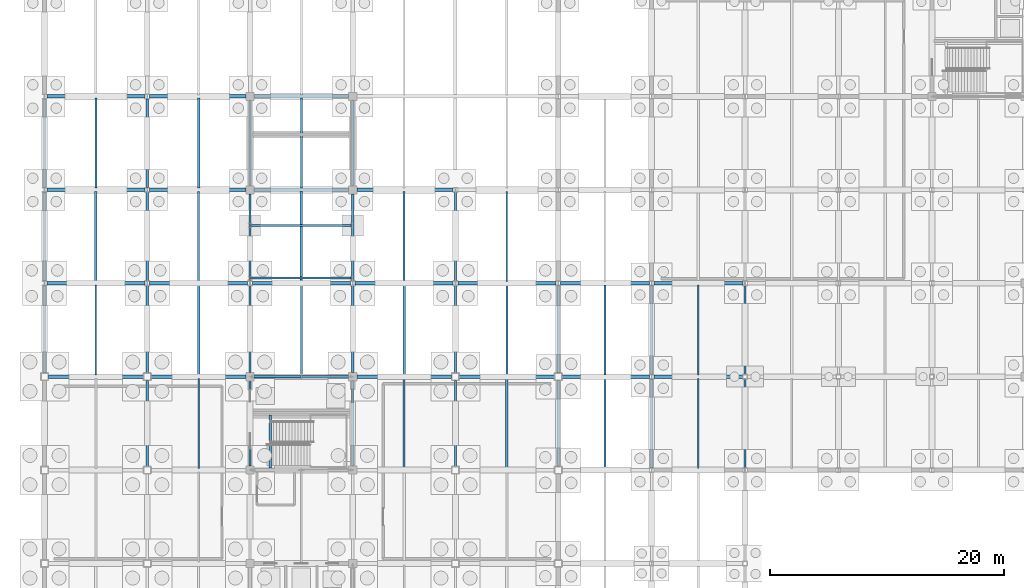
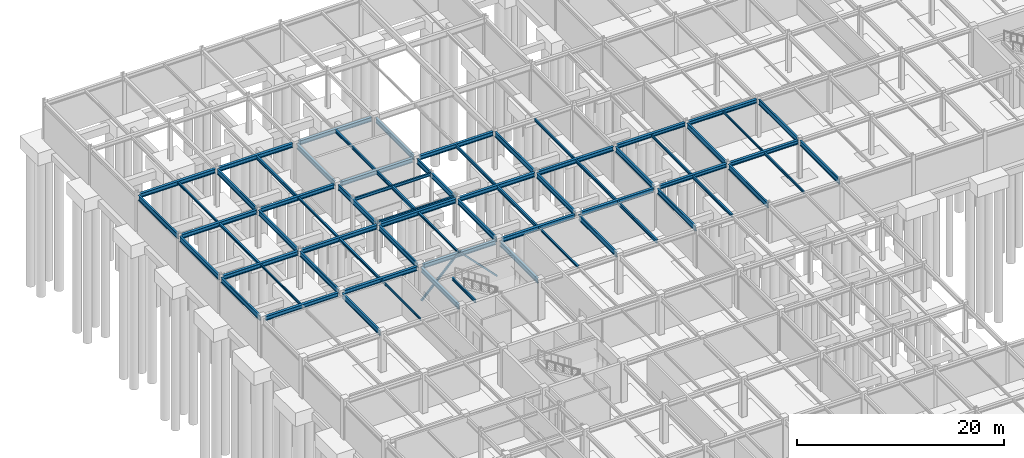
# One storey, part 36 of 72: 68 beams, 2 members.
"""IFC4 building model written with IfcOpenShell, lengths in metres."""

from ifc_helpers import new_model, si_unit, direction, frame, origin, origin_2d, place, context, subcontext, project, spatial, hollow_rectangle, i_section, extrude, material, material_profile, profile_set, type_object, element, save


model = new_model("IFC4")

# Units and contexts
model_context = context("Model", 3, precision=1e-05, world=origin(), true_north=direction((0.0, 1.0)))
body_context = subcontext(model_context, "Body", "Model", "MODEL_VIEW")
ifc_project = project(units=[si_unit("LENGTHUNIT", "METRE"), si_unit("AREAUNIT", "SQUARE_METRE"), si_unit("VOLUMEUNIT", "CUBIC_METRE"), si_unit("PLANEANGLEUNIT", "RADIAN"), si_unit("MASSUNIT", "GRAM", prefix="KILO")], contexts=[model_context])

# Site, building, storey
site_placement = place(None, origin())
site = spatial("IfcSite", under=ifc_project, at=site_placement, CompositionType="ELEMENT")
building_placement = place(site_placement, origin())
building = spatial("IfcBuilding", under=site, at=building_placement, Name="Zhaolan Boulevard Law Courts", CompositionType="ELEMENT")
storey_placement = place(building_placement, frame((0.0, 0.0, -4.800048828125)))
storey = spatial("IfcBuildingStorey", under=building, at=storey_placement, Name="B1", CompositionType="ELEMENT", Elevation=-4.800048828125)

# Members
ifc_material_1 = material(Name="Structural steel Q355B", Category="steel")
ifc_material_profile_1 = material_profile(ifc_material_1, hollow_rectangle(XDim=0.179931640625, YDim=0.179931640625, WallThickness=0.008056640625, InnerFilletRadius=0.008056640625, OuterFilletRadius=0.01611328125, at=origin_2d()), Name="HSS180x180x8")
ifc_profile_set_1 = profile_set([ifc_material_profile_1], Name="Structural steel Q355B")
member_type_1 = type_object("IfcMemberType", Name="BRACE HSS180", PredefinedType="BRACE", material=ifc_profile_set_1)
member_1_placement = place(storey_placement, frame((26.219970703125, 70.0, 0.199951171875), z_axis=(-0.698770796904, 0.0, 0.715345632121), x_axis=(0.0, -1.0, 0.0)))
element("IfcMember", 1, at=member_1_placement, inside=storey, type_object=member_type_1, Name="Core Brace BR-W2-B1-N2", PredefinedType="BRACE", context=body_context, shape_type="SweptSolid", body=[
    extrude(hollow_rectangle(XDim=0.179931640625, YDim=0.179931640625, WallThickness=0.008056640625, InnerFilletRadius=0.008056640625, OuterFilletRadius=0.01611328125, at=origin_2d()), origin(), (0.0, 0.0, 1.0), 6.0390625),
])
ifc_material_2 = material(Name="Structural steel Q355B", Category="steel")
ifc_material_profile_2 = material_profile(ifc_material_2, hollow_rectangle(XDim=0.199951171875, YDim=0.199951171875, WallThickness=0.010009765625, InnerFilletRadius=0.010009765625, OuterFilletRadius=0.02001953125, at=origin_2d()), Name="HSS200x200x10")
ifc_profile_set_2 = profile_set([ifc_material_profile_2], Name="Structural steel Q355B")
member_type_2 = type_object("IfcMemberType", Name="BRACE HSS200", PredefinedType="BRACE", material=ifc_profile_set_2)
member_2_placement = place(storey_placement, frame((17.780029296875, 70.0, 0.199951171875), z_axis=(0.698770796904, 0.0, 0.715345632121), x_axis=(0.0, 1.0, 0.0)))
element("IfcMember", 2, at=member_2_placement, inside=storey, type_object=member_type_2, Name="Core Brace BR-W2-B1-N1", PredefinedType="BRACE", context=body_context, shape_type="SweptSolid", body=[
    extrude(hollow_rectangle(XDim=0.199951171875, YDim=0.199951171875, WallThickness=0.010009765625, InnerFilletRadius=0.010009765625, OuterFilletRadius=0.02001953125, at=origin_2d()), origin(), (0.0, 0.0, 1.0), 6.0390625),
])

# Beams
ifc_material_3 = material(Name="Structural steel Q355B", Category="steel")
ifc_material_profile_3 = material_profile(ifc_material_3, i_section(OverallWidth=0.300048828125, OverallDepth=0.43994140625, WebThickness=0.010986328125, FlangeThickness=0.01806640625, FilletRadius=0.02001953125, at=origin_2d()), Name="HM440x300")
ifc_profile_set_3 = profile_set([ifc_material_profile_3], Name="Structural steel Q355B")
beam_type_1 = type_object("IfcBeamType", Name="GIRDER HM440", PredefinedType="BEAM", material=ifc_profile_set_3)
beam_1_placement = place(storey_placement, frame((44.321044921875, 70.0, 4.328125), z_axis=(1.0, 0.0, 0.0), x_axis=(0.0, 1.0, 0.0)))
element("IfcBeam", 3, at=beam_1_placement, inside=storey, type_object=beam_type_1, Name="Beam BX-L00-6-7-K", PredefinedType="BEAM", context=body_context, shape_type="SweptSolid", body=[
    extrude(i_section(OverallWidth=0.300048828125, OverallDepth=0.43994140625, WebThickness=0.010986328125, FlangeThickness=0.01806640625, FilletRadius=0.02001953125, at=origin_2d()), origin(), (0.0, 0.0, 1.0), 7.48291015625),
])
for number, where, z_axis, x_axis, name in (
    (4, (52.196044921875, 70.0, 4.278076171875), (1.0, 0.0, 0.0), (0.0, 1.0, 0.0), "Beam BX-L00-7-8-K"),
    (5, (44.196044921875, 78.0, 4.328125), (1.0, 0.0, 0.0), (0.0, 1.0, 0.0), "Beam BX-L00-6-7-L"),
    (6, (52.196044921875, 78.0, 4.278076171875), (1.0, 0.0, 0.0), (0.0, 1.0, 0.0), "Beam BX-L00-7-8-L"),
):
    element("IfcBeam", number, at=place(storey_placement, frame(where, z_axis=z_axis, x_axis=x_axis)), inside=storey, type_object=beam_type_1, Name=name, PredefinedType="BEAM", context=body_context, shape_type="SweptSolid", body=[
        extrude(i_section(OverallWidth=0.300048828125, OverallDepth=0.43994140625, WebThickness=0.010986328125, FlangeThickness=0.01806640625, FilletRadius=0.02001953125, at=origin_2d()), origin(), (0.0, 0.0, 1.0), 7.60791015625),
    ])
ifc_material_4 = material(Name="Structural steel Q355B", Category="steel")
ifc_material_profile_4 = material_profile(ifc_material_4, i_section(OverallWidth=0.300048828125, OverallDepth=0.488037109375, WebThickness=0.010986328125, FlangeThickness=0.01806640625, FilletRadius=0.02197265625, at=origin_2d()), Name="HM488x300")
ifc_profile_set_4 = profile_set([ifc_material_profile_4], Name="Structural steel Q355B")
beam_type_2 = type_object("IfcBeamType", Name="GIRDER HM500", PredefinedType="BEAM", material=ifc_profile_set_4)
beam_2_placement = place(storey_placement, frame((0.321044921875, 70.0, 4.254150390625), z_axis=(1.0, 0.0, 0.0), x_axis=(0.0, 1.0, 0.0)))
element("IfcBeam", 7, at=beam_2_placement, inside=storey, type_object=beam_type_2, Name="Beam BX-L00-1-2-K", PredefinedType="BEAM", context=body_context, shape_type="SweptSolid", body=[
    extrude(i_section(OverallWidth=0.300048828125, OverallDepth=0.488037109375, WebThickness=0.010986328125, FlangeThickness=0.01806640625, FilletRadius=0.02197265625, at=origin_2d()), origin(), (0.0, 0.0, 1.0), 8.157958984375),
])
beam_3_placement = place(storey_placement, frame((9.12109375, 70.0, 4.254150390625), z_axis=(1.0, 0.0, 0.0), x_axis=(0.0, 1.0, 0.0)))
element("IfcBeam", 8, at=beam_3_placement, inside=storey, type_object=beam_type_2, Name="Beam BX-L00-2-3-K", PredefinedType="BEAM", context=body_context, shape_type="SweptSolid", body=[
    extrude(i_section(OverallWidth=0.300048828125, OverallDepth=0.488037109375, WebThickness=0.010986328125, FlangeThickness=0.01806640625, FilletRadius=0.02197265625, at=origin_2d()), origin(), (0.0, 0.0, 1.0), 8.1328125),
])
beam_4_placement = place(storey_placement, frame((17.946044921875, 70.0, 4.254150390625), z_axis=(1.0, 0.0, 0.0), x_axis=(0.0, 1.0, 0.0)))
element("IfcBeam", 9, at=beam_4_placement, inside=storey, type_object=beam_type_2, Name="Beam BX-L00-3-4-K", PredefinedType="BEAM", context=body_context, shape_type="SweptSolid", body=[
    extrude(i_section(OverallWidth=0.300048828125, OverallDepth=0.488037109375, WebThickness=0.010986328125, FlangeThickness=0.01806640625, FilletRadius=0.02197265625, at=origin_2d()), origin(), (0.0, 0.0, 1.0), 8.10791015625),
])
beam_5_placement = place(storey_placement, frame((26.74609375, 70.0, 4.254150390625), z_axis=(1.0, 0.0, 0.0), x_axis=(0.0, 1.0, 0.0)))
element("IfcBeam", 10, at=beam_5_placement, inside=storey, type_object=beam_type_2, Name="Beam BX-L00-4-5-K", PredefinedType="BEAM", context=body_context, shape_type="SweptSolid", body=[
    extrude(i_section(OverallWidth=0.300048828125, OverallDepth=0.488037109375, WebThickness=0.010986328125, FlangeThickness=0.01806640625, FilletRadius=0.02197265625, at=origin_2d()), origin(), (0.0, 0.0, 1.0), 8.1328125),
])
beam_6_placement = place(storey_placement, frame((35.52099609375, 70.0, 4.254150390625), z_axis=(1.0, 0.0, 0.0), x_axis=(0.0, 1.0, 0.0)))
element("IfcBeam", 11, at=beam_6_placement, inside=storey, type_object=beam_type_2, Name="Beam BX-L00-5-6-K", PredefinedType="BEAM", context=body_context, shape_type="SweptSolid", body=[
    extrude(i_section(OverallWidth=0.300048828125, OverallDepth=0.488037109375, WebThickness=0.010986328125, FlangeThickness=0.01806640625, FilletRadius=0.02197265625, at=origin_2d()), origin(), (0.0, 0.0, 1.0), 8.157958984375),
])
for number, where, z_axis, x_axis, name in (
    (12, (0.196044921875, 78.0, 4.254150390625), (1.0, 0.0, 0.0), (0.0, 1.0, 0.0), "Beam BX-L00-1-2-L"),
    (13, (8.99609375, 78.0, 4.254150390625), (1.0, 0.0, 0.0), (0.0, 1.0, 0.0), "Beam BX-L00-2-3-L"),
):
    element("IfcBeam", number, at=place(storey_placement, frame(where, z_axis=z_axis, x_axis=x_axis)), inside=storey, type_object=beam_type_2, Name=name, PredefinedType="BEAM", context=body_context, shape_type="SweptSolid", body=[
        extrude(i_section(OverallWidth=0.300048828125, OverallDepth=0.488037109375, WebThickness=0.010986328125, FlangeThickness=0.01806640625, FilletRadius=0.02197265625, at=origin_2d()), origin(), (0.0, 0.0, 1.0), 8.407958984375),
    ])
beam_7_placement = place(storey_placement, frame((17.7958984375, 78.0, 4.254150390625), z_axis=(1.0, 0.0, 0.0), x_axis=(0.0, 1.0, 0.0)))
element("IfcBeam", 14, at=beam_7_placement, inside=storey, type_object=beam_type_2, Name="Beam BX-L00-3-4-L", PredefinedType="BEAM", context=body_context, shape_type="SweptSolid", body=[
    extrude(i_section(OverallWidth=0.300048828125, OverallDepth=0.488037109375, WebThickness=0.010986328125, FlangeThickness=0.01806640625, FilletRadius=0.02197265625, at=origin_2d()), origin(), (0.0, 0.0, 1.0), 8.408203125),
])
for number, where, z_axis, x_axis, name in (
    (15, (26.595947265625, 78.0, 4.254150390625), (1.0, 0.0, 0.0), (0.0, 1.0, 0.0), "Beam BX-L00-4-5-L"),
    (16, (35.39599609375, 78.0, 4.254150390625), (1.0, 0.0, 0.0), (0.0, 1.0, 0.0), "Beam BX-L00-5-6-L"),
    (17, (0.196044921875, 86.0, 4.254150390625), (1.0, 0.0, 0.0), (0.0, 1.0, 0.0), "Beam BX-L00-1-2-M"),
):
    element("IfcBeam", number, at=place(storey_placement, frame(where, z_axis=z_axis, x_axis=x_axis)), inside=storey, type_object=beam_type_2, Name=name, PredefinedType="BEAM", context=body_context, shape_type="SweptSolid", body=[
        extrude(i_section(OverallWidth=0.300048828125, OverallDepth=0.488037109375, WebThickness=0.010986328125, FlangeThickness=0.01806640625, FilletRadius=0.02197265625, at=origin_2d()), origin(), (0.0, 0.0, 1.0), 8.407958984375),
    ])
beam_8_placement = place(storey_placement, frame((8.99609375, 86.0, 4.254150390625), z_axis=(1.0, 0.0, 0.0), x_axis=(0.0, 1.0, 0.0)))
element("IfcBeam", 18, at=beam_8_placement, inside=storey, type_object=beam_type_2, Name="Beam BX-L00-2-3-M", PredefinedType="BEAM", context=body_context, shape_type="SweptSolid", body=[
    extrude(i_section(OverallWidth=0.300048828125, OverallDepth=0.488037109375, WebThickness=0.010986328125, FlangeThickness=0.01806640625, FilletRadius=0.02197265625, at=origin_2d()), origin(), (0.0, 0.0, 1.0), 8.2578125),
])
beam_9_placement = place(storey_placement, frame((17.946044921875, 86.0, 4.254150390625), z_axis=(1.0, 0.0, 0.0), x_axis=(0.0, 1.0, 0.0)))
element("IfcBeam", 19, at=beam_9_placement, inside=storey, type_object=beam_type_2, Name="Beam BX-L00-3-4-M", PredefinedType="BEAM", context=body_context, shape_type="SweptSolid", body=[
    extrude(i_section(OverallWidth=0.300048828125, OverallDepth=0.488037109375, WebThickness=0.010986328125, FlangeThickness=0.01806640625, FilletRadius=0.02197265625, at=origin_2d()), origin(), (0.0, 0.0, 1.0), 8.10791015625),
])
beam_10_placement = place(storey_placement, frame((26.74609375, 86.0, 4.254150390625), z_axis=(1.0, 0.0, 0.0), x_axis=(0.0, 1.0, 0.0)))
element("IfcBeam", 20, at=beam_10_placement, inside=storey, type_object=beam_type_2, Name="Beam BX-L00-4-5-M", PredefinedType="BEAM", context=body_context, shape_type="SweptSolid", body=[
    extrude(i_section(OverallWidth=0.300048828125, OverallDepth=0.488037109375, WebThickness=0.010986328125, FlangeThickness=0.01806640625, FilletRadius=0.02197265625, at=origin_2d()), origin(), (0.0, 0.0, 1.0), 8.2578125),
])
beam_11_placement = place(storey_placement, frame((0.196044921875, 94.0, 4.254150390625), z_axis=(1.0, 0.0, 0.0), x_axis=(0.0, 1.0, 0.0)))
element("IfcBeam", 21, at=beam_11_placement, inside=storey, type_object=beam_type_2, Name="Beam BX-L00-1-2-N", PredefinedType="BEAM", context=body_context, shape_type="SweptSolid", body=[
    extrude(i_section(OverallWidth=0.300048828125, OverallDepth=0.488037109375, WebThickness=0.010986328125, FlangeThickness=0.01806640625, FilletRadius=0.02197265625, at=origin_2d()), origin(), (0.0, 0.0, 1.0), 8.407958984375),
])
beam_12_placement = place(storey_placement, frame((8.99609375, 94.0, 4.254150390625), z_axis=(1.0, 0.0, 0.0), x_axis=(0.0, 1.0, 0.0)))
element("IfcBeam", 22, at=beam_12_placement, inside=storey, type_object=beam_type_2, Name="Beam BX-L00-2-3-N", PredefinedType="BEAM", context=body_context, shape_type="SweptSolid", body=[
    extrude(i_section(OverallWidth=0.300048828125, OverallDepth=0.488037109375, WebThickness=0.010986328125, FlangeThickness=0.01806640625, FilletRadius=0.02197265625, at=origin_2d()), origin(), (0.0, 0.0, 1.0), 8.2578125),
])
beam_13_placement = place(storey_placement, frame((17.946044921875, 94.0, 4.254150390625), z_axis=(1.0, 0.0, 0.0), x_axis=(0.0, 1.0, 0.0)))
element("IfcBeam", 23, at=beam_13_placement, inside=storey, type_object=beam_type_2, Name="Beam BX-L00-3-4-N", PredefinedType="BEAM", context=body_context, shape_type="SweptSolid", body=[
    extrude(i_section(OverallWidth=0.300048828125, OverallDepth=0.488037109375, WebThickness=0.010986328125, FlangeThickness=0.01806640625, FilletRadius=0.02197265625, at=origin_2d()), origin(), (0.0, 0.0, 1.0), 8.10791015625),
])
ifc_material_5 = material(Name="Structural steel Q355B", Category="steel")
ifc_material_profile_5 = material_profile(ifc_material_5, i_section(OverallWidth=0.199951171875, OverallDepth=0.60009765625, WebThickness=0.010986328125, FlangeThickness=0.01708984375, FilletRadius=0.02001953125, at=origin_2d()), Name="HN600x200")
ifc_profile_set_5 = profile_set([ifc_material_profile_5], Name="Structural steel Q355B")
beam_type_3 = type_object("IfcBeamType", Name="GIRDER HN600", PredefinedType="BEAM", material=ifc_profile_set_5)
beam_14_placement = place(storey_placement, frame((0.0, 70.321044921875, 4.197998046875), z_axis=(0.0, 1.0, 0.0), x_axis=(-1.0, 0.0, 0.0)))
element("IfcBeam", 24, at=beam_14_placement, inside=storey, type_object=beam_type_3, Name="Beam BY-L00-1-K-L", PredefinedType="BEAM", context=body_context, shape_type="SweptSolid", body=[
    extrude(i_section(OverallWidth=0.199951171875, OverallDepth=0.60009765625, WebThickness=0.010986328125, FlangeThickness=0.01708984375, FilletRadius=0.02001953125, at=origin_2d()), origin(), (0.0, 0.0, 1.0), 7.48291015625),
])
for number, where, z_axis, x_axis, name in (
    (25, (0.0, 78.196044921875, 4.197998046875), (0.0, 1.0, 0.0), (-1.0, 0.0, 0.0), "Beam BY-L00-1-L-M"),
    (26, (0.0, 86.196044921875, 4.197998046875), (0.0, 1.0, 0.0), (-1.0, 0.0, 0.0), "Beam BY-L00-1-M-N"),
):
    element("IfcBeam", number, at=place(storey_placement, frame(where, z_axis=z_axis, x_axis=x_axis)), inside=storey, type_object=beam_type_3, Name=name, PredefinedType="BEAM", context=body_context, shape_type="SweptSolid", body=[
        extrude(i_section(OverallWidth=0.199951171875, OverallDepth=0.60009765625, WebThickness=0.010986328125, FlangeThickness=0.01708984375, FilletRadius=0.02001953125, at=origin_2d()), origin(), (0.0, 0.0, 1.0), 7.60791015625),
    ])
beam_15_placement = place(storey_placement, frame((8.800048828125, 62.321044921875, 4.197998046875), z_axis=(0.0, 1.0, 0.0), x_axis=(-1.0, 0.0, 0.0)))
element("IfcBeam", 27, at=beam_15_placement, inside=storey, type_object=beam_type_3, Name="Beam BY-L00-2-J-K", PredefinedType="BEAM", context=body_context, shape_type="SweptSolid", body=[
    extrude(i_section(OverallWidth=0.199951171875, OverallDepth=0.60009765625, WebThickness=0.010986328125, FlangeThickness=0.01708984375, FilletRadius=0.02001953125, at=origin_2d()), origin(), (0.0, 0.0, 1.0), 7.35791015625),
])
beam_16_placement = place(storey_placement, frame((8.800048828125, 70.321044921875, 4.197998046875), z_axis=(0.0, 1.0, 0.0), x_axis=(-1.0, 0.0, 0.0)))
element("IfcBeam", 28, at=beam_16_placement, inside=storey, type_object=beam_type_3, Name="Beam BY-L00-2-K-L", PredefinedType="BEAM", context=body_context, shape_type="SweptSolid", body=[
    extrude(i_section(OverallWidth=0.199951171875, OverallDepth=0.60009765625, WebThickness=0.010986328125, FlangeThickness=0.01708984375, FilletRadius=0.02001953125, at=origin_2d()), origin(), (0.0, 0.0, 1.0), 7.48291015625),
])
for number, where, z_axis, x_axis, name in (
    (29, (8.800048828125, 78.196044921875, 4.197998046875), (0.0, 1.0, 0.0), (-1.0, 0.0, 0.0), "Beam BY-L00-2-L-M"),
    (30, (8.800048828125, 86.196044921875, 4.197998046875), (0.0, 1.0, 0.0), (-1.0, 0.0, 0.0), "Beam BY-L00-2-M-N"),
):
    element("IfcBeam", number, at=place(storey_placement, frame(where, z_axis=z_axis, x_axis=x_axis)), inside=storey, type_object=beam_type_3, Name=name, PredefinedType="BEAM", context=body_context, shape_type="SweptSolid", body=[
        extrude(i_section(OverallWidth=0.199951171875, OverallDepth=0.60009765625, WebThickness=0.010986328125, FlangeThickness=0.01708984375, FilletRadius=0.02001953125, at=origin_2d()), origin(), (0.0, 0.0, 1.0), 7.60791015625),
    ])
beam_17_placement = place(storey_placement, frame((17.60009765625, 62.345947265625, 4.197998046875), z_axis=(0.0, 1.0, 0.0), x_axis=(-1.0, 0.0, 0.0)))
element("IfcBeam", 31, at=beam_17_placement, inside=storey, type_object=beam_type_3, Name="Beam BY-L00-3-J-K", PredefinedType="BEAM", context=body_context, shape_type="SweptSolid", body=[
    extrude(i_section(OverallWidth=0.199951171875, OverallDepth=0.60009765625, WebThickness=0.010986328125, FlangeThickness=0.01708984375, FilletRadius=0.02001953125, at=origin_2d()), origin(), (0.0, 0.0, 1.0), 7.30810546875),
])
for number, where, z_axis, x_axis, name in (
    (32, (17.60009765625, 70.345947265625, 4.197998046875), (0.0, 1.0, 0.0), (-1.0, 0.0, 0.0), "Beam BY-L00-3-K-L"),
    (33, (17.60009765625, 78.196044921875, 4.197998046875), (0.0, 1.0, 0.0), (-1.0, 0.0, 0.0), "Beam BY-L00-3-L-M"),
):
    element("IfcBeam", number, at=place(storey_placement, frame(where, z_axis=z_axis, x_axis=x_axis)), inside=storey, type_object=beam_type_3, Name=name, PredefinedType="BEAM", context=body_context, shape_type="SweptSolid", body=[
        extrude(i_section(OverallWidth=0.199951171875, OverallDepth=0.60009765625, WebThickness=0.010986328125, FlangeThickness=0.01708984375, FilletRadius=0.02001953125, at=origin_2d()), origin(), (0.0, 0.0, 1.0), 7.4580078125),
    ])
for number, where, z_axis, x_axis, name in (
    (34, (17.60009765625, 86.345947265625, 4.197998046875), (0.0, 1.0, 0.0), (-1.0, 0.0, 0.0), "Beam BY-L00-3-M-N"),
    (35, (26.39990234375, 62.345947265625, 4.197998046875), (0.0, 1.0, 0.0), (-1.0, 0.0, 0.0), "Beam BY-L00-4-J-K"),
):
    element("IfcBeam", number, at=place(storey_placement, frame(where, z_axis=z_axis, x_axis=x_axis)), inside=storey, type_object=beam_type_3, Name=name, PredefinedType="BEAM", context=body_context, shape_type="SweptSolid", body=[
        extrude(i_section(OverallWidth=0.199951171875, OverallDepth=0.60009765625, WebThickness=0.010986328125, FlangeThickness=0.01708984375, FilletRadius=0.02001953125, at=origin_2d()), origin(), (0.0, 0.0, 1.0), 7.30810546875),
    ])
for number, where, z_axis, x_axis, name in (
    (36, (26.39990234375, 70.345947265625, 4.197998046875), (0.0, 1.0, 0.0), (-1.0, 0.0, 0.0), "Beam BY-L00-4-K-L"),
    (37, (26.39990234375, 78.196044921875, 4.197998046875), (0.0, 1.0, 0.0), (-1.0, 0.0, 0.0), "Beam BY-L00-4-L-M"),
):
    element("IfcBeam", number, at=place(storey_placement, frame(where, z_axis=z_axis, x_axis=x_axis)), inside=storey, type_object=beam_type_3, Name=name, PredefinedType="BEAM", context=body_context, shape_type="SweptSolid", body=[
        extrude(i_section(OverallWidth=0.199951171875, OverallDepth=0.60009765625, WebThickness=0.010986328125, FlangeThickness=0.01708984375, FilletRadius=0.02001953125, at=origin_2d()), origin(), (0.0, 0.0, 1.0), 7.4580078125),
    ])
beam_18_placement = place(storey_placement, frame((26.39990234375, 86.345947265625, 4.197998046875), z_axis=(0.0, 1.0, 0.0), x_axis=(-1.0, 0.0, 0.0)))
element("IfcBeam", 38, at=beam_18_placement, inside=storey, type_object=beam_type_3, Name="Beam BY-L00-4-M-N", PredefinedType="BEAM", context=body_context, shape_type="SweptSolid", body=[
    extrude(i_section(OverallWidth=0.199951171875, OverallDepth=0.60009765625, WebThickness=0.010986328125, FlangeThickness=0.01708984375, FilletRadius=0.02001953125, at=origin_2d()), origin(), (0.0, 0.0, 1.0), 7.30810546875),
])
beam_19_placement = place(storey_placement, frame((35.199951171875, 62.321044921875, 4.197998046875), z_axis=(0.0, 1.0, 0.0), x_axis=(-1.0, 0.0, 0.0)))
element("IfcBeam", 39, at=beam_19_placement, inside=storey, type_object=beam_type_3, Name="Beam BY-L00-5-J-K", PredefinedType="BEAM", context=body_context, shape_type="SweptSolid", body=[
    extrude(i_section(OverallWidth=0.199951171875, OverallDepth=0.60009765625, WebThickness=0.010986328125, FlangeThickness=0.01708984375, FilletRadius=0.02001953125, at=origin_2d()), origin(), (0.0, 0.0, 1.0), 7.35791015625),
])
beam_20_placement = place(storey_placement, frame((35.199951171875, 70.321044921875, 4.197998046875), z_axis=(0.0, 1.0, 0.0), x_axis=(-1.0, 0.0, 0.0)))
element("IfcBeam", 40, at=beam_20_placement, inside=storey, type_object=beam_type_3, Name="Beam BY-L00-5-K-L", PredefinedType="BEAM", context=body_context, shape_type="SweptSolid", body=[
    extrude(i_section(OverallWidth=0.199951171875, OverallDepth=0.60009765625, WebThickness=0.010986328125, FlangeThickness=0.01708984375, FilletRadius=0.02001953125, at=origin_2d()), origin(), (0.0, 0.0, 1.0), 7.48291015625),
])
beam_21_placement = place(storey_placement, frame((35.199951171875, 78.196044921875, 4.197998046875), z_axis=(0.0, 1.0, 0.0), x_axis=(-1.0, 0.0, 0.0)))
element("IfcBeam", 41, at=beam_21_placement, inside=storey, type_object=beam_type_3, Name="Beam BY-L00-5-L-M", PredefinedType="BEAM", context=body_context, shape_type="SweptSolid", body=[
    extrude(i_section(OverallWidth=0.199951171875, OverallDepth=0.60009765625, WebThickness=0.010986328125, FlangeThickness=0.01708984375, FilletRadius=0.02001953125, at=origin_2d()), origin(), (0.0, 0.0, 1.0), 7.60791015625),
])
beam_22_placement = place(storey_placement, frame((44.0, 62.321044921875, 4.197998046875), z_axis=(0.0, 1.0, 0.0), x_axis=(-1.0, 0.0, 0.0)))
element("IfcBeam", 42, at=beam_22_placement, inside=storey, type_object=beam_type_3, Name="Beam BY-L00-6-J-K", PredefinedType="BEAM", context=body_context, shape_type="SweptSolid", body=[
    extrude(i_section(OverallWidth=0.199951171875, OverallDepth=0.60009765625, WebThickness=0.010986328125, FlangeThickness=0.01708984375, FilletRadius=0.02001953125, at=origin_2d()), origin(), (0.0, 0.0, 1.0), 7.35791015625),
])
beam_23_placement = place(storey_placement, frame((44.0, 70.321044921875, 4.197998046875), z_axis=(0.0, 1.0, 0.0), x_axis=(-1.0, 0.0, 0.0)))
element("IfcBeam", 43, at=beam_23_placement, inside=storey, type_object=beam_type_3, Name="Beam BY-L00-6-K-L", PredefinedType="BEAM", context=body_context, shape_type="SweptSolid", body=[
    extrude(i_section(OverallWidth=0.199951171875, OverallDepth=0.60009765625, WebThickness=0.010986328125, FlangeThickness=0.01708984375, FilletRadius=0.02001953125, at=origin_2d()), origin(), (0.0, 0.0, 1.0), 7.48291015625),
])
for number, where, z_axis, x_axis, name in (
    (44, (52.0, 62.196044921875, 4.197998046875), (0.0, 1.0, 0.0), (-1.0, 0.0, 0.0), "Beam BY-L00-7-J-K"),
    (45, (52.0, 70.196044921875, 4.197998046875), (0.0, 1.0, 0.0), (-1.0, 0.0, 0.0), "Beam BY-L00-7-K-L"),
    (46, (60.0, 62.196044921875, 4.197998046875), (0.0, 1.0, 0.0), (-1.0, 0.0, 0.0), "Beam BY-L00-8-J-K"),
    (47, (60.0, 70.196044921875, 4.197998046875), (0.0, 1.0, 0.0), (-1.0, 0.0, 0.0), "Beam BY-L00-8-K-L"),
):
    element("IfcBeam", number, at=place(storey_placement, frame(where, z_axis=z_axis, x_axis=x_axis)), inside=storey, type_object=beam_type_3, Name=name, PredefinedType="BEAM", context=body_context, shape_type="SweptSolid", body=[
        extrude(i_section(OverallWidth=0.199951171875, OverallDepth=0.60009765625, WebThickness=0.010986328125, FlangeThickness=0.01708984375, FilletRadius=0.02001953125, at=origin_2d()), origin(), (0.0, 0.0, 1.0), 7.60791015625),
    ])
ifc_material_6 = material(Name="Structural steel Q355B", Category="steel")
ifc_material_profile_6 = material_profile(ifc_material_6, i_section(OverallWidth=0.175048828125, OverallDepth=0.243896484375, WebThickness=0.007080078125, FlangeThickness=0.010986328125, FilletRadius=0.012939453125, at=origin_2d()), Name="HM244x175")
ifc_profile_set_6 = profile_set([ifc_material_profile_6], Name="Structural steel Q355B")
beam_type_4 = type_object("IfcBeamType", Name="JOIST HM244", PredefinedType="JOIST", material=ifc_profile_set_6)
for number, where, z_axis, x_axis, name in (
    (48, (4.39990234375, 86.14599609375, 4.3759765625), (0.0, 1.0, 0.0), (-1.0, 0.0, 0.0), "Composite Joist J-L00-1M"),
    (49, (13.199951171875, 78.14599609375, 4.3759765625), (0.0, 1.0, 0.0), (-1.0, 0.0, 0.0), "Composite Joist J-L00-2L"),
    (50, (22.0, 70.14599609375, 4.3759765625), (0.0, 1.0, 0.0), (-1.0, 0.0, 0.0), "Composite Joist J-L00-3K"),
    (51, (30.800048828125, 62.14599609375, 4.3759765625), (0.0, 1.0, 0.0), (-1.0, 0.0, 0.0), "Composite Joist J-L00-4J"),
):
    element("IfcBeam", number, at=place(storey_placement, frame(where, z_axis=z_axis, x_axis=x_axis)), inside=storey, type_object=beam_type_4, Name=name, PredefinedType="JOIST", context=body_context, shape_type="SweptSolid", body=[
        extrude(i_section(OverallWidth=0.175048828125, OverallDepth=0.243896484375, WebThickness=0.007080078125, FlangeThickness=0.010986328125, FilletRadius=0.012939453125, at=origin_2d()), origin(), (0.0, 0.0, 1.0), 7.7080078125),
    ])
ifc_material_7 = material(Name="Structural steel Q355B", Category="steel")
ifc_material_profile_7 = material_profile(ifc_material_7, i_section(OverallWidth=0.199951171875, OverallDepth=0.2939453125, WebThickness=0.008056640625, FlangeThickness=0.011962890625, FilletRadius=0.01611328125, at=origin_2d()), Name="HM294x200")
ifc_profile_set_7 = profile_set([ifc_material_profile_7], Name="Structural steel Q355B")
beam_type_5 = type_object("IfcBeamType", Name="JOIST HM294", PredefinedType="JOIST", material=ifc_profile_set_7)
for number, where, z_axis, x_axis, name in (
    (52, (4.39990234375, 78.14599609375, 4.35107421875), (0.0, 1.0, 0.0), (-1.0, 0.0, 0.0), "Composite Joist J-L00-1L"),
    (53, (13.199951171875, 70.14599609375, 4.35107421875), (0.0, 1.0, 0.0), (-1.0, 0.0, 0.0), "Composite Joist J-L00-2K"),
):
    element("IfcBeam", number, at=place(storey_placement, frame(where, z_axis=z_axis, x_axis=x_axis)), inside=storey, type_object=beam_type_5, Name=name, PredefinedType="JOIST", context=body_context, shape_type="SweptSolid", body=[
        extrude(i_section(OverallWidth=0.199951171875, OverallDepth=0.2939453125, WebThickness=0.008056640625, FlangeThickness=0.011962890625, FilletRadius=0.01611328125, at=origin_2d()), origin(), (0.0, 0.0, 1.0), 7.7080078125),
    ])
ifc_material_8 = material(Name="Structural steel Q355B", Category="steel")
ifc_material_profile_8 = material_profile(ifc_material_8, i_section(OverallWidth=0.125, OverallDepth=0.25, WebThickness=0.006103515625, FlangeThickness=0.009033203125, FilletRadius=0.010009765625, at=origin_2d()), Name="HN250x125")
ifc_profile_set_8 = profile_set([ifc_material_profile_8], Name="Structural steel Q355B")
beam_type_6 = type_object("IfcBeamType", Name="JOIST HN250", PredefinedType="JOIST", material=ifc_profile_set_8)
for number, where, z_axis, x_axis, name in (
    (54, (4.39990234375, 70.14599609375, 4.373046875), (0.0, 1.0, 0.0), (-1.0, 0.0, 0.0), "Composite Joist J-L00-1K"),
    (55, (13.199951171875, 62.14599609375, 4.373046875), (0.0, 1.0, 0.0), (-1.0, 0.0, 0.0), "Composite Joist J-L00-2J"),
    (56, (56.0, 70.14599609375, 4.373046875), (0.0, 1.0, 0.0), (-1.0, 0.0, 0.0), "Composite Joist J-L00-7K"),
):
    element("IfcBeam", number, at=place(storey_placement, frame(where, z_axis=z_axis, x_axis=x_axis)), inside=storey, type_object=beam_type_6, Name=name, PredefinedType="JOIST", context=body_context, shape_type="SweptSolid", body=[
        extrude(i_section(OverallWidth=0.125, OverallDepth=0.25, WebThickness=0.006103515625, FlangeThickness=0.009033203125, FilletRadius=0.010009765625, at=origin_2d()), origin(), (0.0, 0.0, 1.0), 7.7080078125),
    ])
ifc_material_9 = material(Name="Structural steel Q355B", Category="steel")
ifc_material_profile_9 = material_profile(ifc_material_9, i_section(OverallWidth=0.14990234375, OverallDepth=0.300048828125, WebThickness=0.006591796875, FlangeThickness=0.009033203125, FilletRadius=0.010986328125, at=origin_2d()), Name="HN300x150")
ifc_profile_set_9 = profile_set([ifc_material_profile_9], Name="Structural steel Q355B")
beam_type_7 = type_object("IfcBeamType", Name="JOIST HN300", PredefinedType="JOIST", material=ifc_profile_set_9)
for number, where, z_axis, x_axis, name in (
    (57, (39.60009765625, 78.14599609375, 4.34814453125), (0.0, 1.0, 0.0), (-1.0, 0.0, 0.0), "Composite Joist J-L00-5L"),
    (58, (48.0, 70.14599609375, 4.39794921875), (0.0, 1.0, 0.0), (-1.0, 0.0, 0.0), "Composite Joist J-L00-6K"),
    (59, (56.0, 62.14599609375, 4.34814453125), (0.0, 1.0, 0.0), (-1.0, 0.0, 0.0), "Composite Joist J-L00-7J"),
):
    element("IfcBeam", number, at=place(storey_placement, frame(where, z_axis=z_axis, x_axis=x_axis)), inside=storey, type_object=beam_type_7, Name=name, PredefinedType="JOIST", context=body_context, shape_type="SweptSolid", body=[
        extrude(i_section(OverallWidth=0.14990234375, OverallDepth=0.300048828125, WebThickness=0.006591796875, FlangeThickness=0.009033203125, FilletRadius=0.010986328125, at=origin_2d()), origin(), (0.0, 0.0, 1.0), 7.7080078125),
    ])
ifc_material_10 = material(Name="Structural steel Q355B", Category="steel")
ifc_material_profile_10 = material_profile(ifc_material_10, i_section(OverallWidth=0.175048828125, OverallDepth=0.35009765625, WebThickness=0.007080078125, FlangeThickness=0.010986328125, FilletRadius=0.012939453125, at=origin_2d()), Name="HN350x175")
ifc_profile_set_10 = profile_set([ifc_material_profile_10], Name="Structural steel Q355B")
beam_type_8 = type_object("IfcBeamType", Name="JOIST HN350", PredefinedType="JOIST", material=ifc_profile_set_10)
for number, where, z_axis, x_axis, name in (
    (60, (22.0, 86.14599609375, 4.322998046875), (0.0, 1.0, 0.0), (-1.0, 0.0, 0.0), "Composite Joist J-L00-3M"),
    (61, (30.800048828125, 78.14599609375, 4.322998046875), (0.0, 1.0, 0.0), (-1.0, 0.0, 0.0), "Composite Joist J-L00-4L"),
    (62, (39.60009765625, 70.14599609375, 4.322998046875), (0.0, 1.0, 0.0), (-1.0, 0.0, 0.0), "Composite Joist J-L00-5K"),
    (63, (48.0, 62.14599609375, 4.373046875), (0.0, 1.0, 0.0), (-1.0, 0.0, 0.0), "Composite Joist J-L00-6J"),
):
    element("IfcBeam", number, at=place(storey_placement, frame(where, z_axis=z_axis, x_axis=x_axis)), inside=storey, type_object=beam_type_8, Name=name, PredefinedType="JOIST", context=body_context, shape_type="SweptSolid", body=[
        extrude(i_section(OverallWidth=0.175048828125, OverallDepth=0.35009765625, WebThickness=0.007080078125, FlangeThickness=0.010986328125, FilletRadius=0.012939453125, at=origin_2d()), origin(), (0.0, 0.0, 1.0), 7.7080078125),
    ])
ifc_material_11 = material(Name="Structural steel Q355B", Category="steel")
ifc_material_profile_11 = material_profile(ifc_material_11, i_section(OverallWidth=0.199951171875, OverallDepth=0.39990234375, WebThickness=0.008056640625, FlangeThickness=0.012939453125, FilletRadius=0.013916015625, at=origin_2d()), Name="HN400x200")
ifc_profile_set_11 = profile_set([ifc_material_profile_11], Name="Structural steel Q355B")
beam_type_9 = type_object("IfcBeamType", Name="JOIST HN400", PredefinedType="JOIST", material=ifc_profile_set_11)
for number, where, z_axis, x_axis, name in (
    (64, (13.199951171875, 86.14599609375, 4.298095703125), (0.0, 1.0, 0.0), (-1.0, 0.0, 0.0), "Composite Joist J-L00-2M"),
    (65, (22.0, 78.14599609375, 4.298095703125), (0.0, 1.0, 0.0), (-1.0, 0.0, 0.0), "Composite Joist J-L00-3L"),
    (66, (30.800048828125, 70.14599609375, 4.298095703125), (0.0, 1.0, 0.0), (-1.0, 0.0, 0.0), "Composite Joist J-L00-4K"),
    (67, (39.60009765625, 62.14599609375, 4.298095703125), (0.0, 1.0, 0.0), (-1.0, 0.0, 0.0), "Composite Joist J-L00-5J"),
):
    element("IfcBeam", number, at=place(storey_placement, frame(where, z_axis=z_axis, x_axis=x_axis)), inside=storey, type_object=beam_type_9, Name=name, PredefinedType="JOIST", context=body_context, shape_type="SweptSolid", body=[
        extrude(i_section(OverallWidth=0.199951171875, OverallDepth=0.39990234375, WebThickness=0.008056640625, FlangeThickness=0.012939453125, FilletRadius=0.013916015625, at=origin_2d()), origin(), (0.0, 0.0, 1.0), 7.7080078125),
    ])
ifc_material_12 = material(Name="Structural steel Q355B", Category="steel")
ifc_material_profile_12 = material_profile(ifc_material_12, i_section(OverallWidth=0.175048828125, OverallDepth=0.35009765625, WebThickness=0.007080078125, FlangeThickness=0.010986328125, FilletRadius=0.012939453125, at=origin_2d()), Name="HN350x175")
ifc_profile_set_12 = profile_set([ifc_material_profile_12], Name="Structural steel Q355B")
beam_type_10 = type_object("IfcBeamType", Name="STAIR TRIMMER HN350", PredefinedType="BEAM", material=ifc_profile_set_12)
beam_24_placement = place(storey_placement, frame((19.3349609375, 62.1650390625, 4.31494140625), z_axis=(0.0, 1.0, 0.0), x_axis=(-1.0, 0.0, 0.0)))
element("IfcBeam", 68, at=beam_24_placement, inside=storey, type_object=beam_type_10, Name="Stair Landing Trimmer Beam STB-ST02-L00", PredefinedType="BEAM", context=body_context, shape_type="SweptSolid", body=[
    extrude(i_section(OverallWidth=0.175048828125, OverallDepth=0.35009765625, WebThickness=0.007080078125, FlangeThickness=0.010986328125, FilletRadius=0.012939453125, at=origin_2d()), origin(), (0.0, 0.0, 1.0), 4.544921875),
])
for number, where, z_axis, x_axis, name in (
    (69, (17.739990234375, 78.449951171875, 4.324951171875), (1.0, 0.0, 0.0), (0.0, 1.0, 0.0), "Stairwell Support Girder SGB-ST12-S"),
    (70, (17.739990234375, 82.949951171875, 4.324951171875), (1.0, 0.0, 0.0), (0.0, 1.0, 0.0), "Stairwell Support Girder SGB-ST12-N"),
):
    element("IfcBeam", number, at=place(storey_placement, frame(where, z_axis=z_axis, x_axis=x_axis)), inside=storey, type_object=beam_type_10, Name=name, PredefinedType="BEAM", context=body_context, shape_type="SweptSolid", body=[
        extrude(i_section(OverallWidth=0.175048828125, OverallDepth=0.35009765625, WebThickness=0.007080078125, FlangeThickness=0.010986328125, FilletRadius=0.012939453125, at=origin_2d()), origin(), (0.0, 0.0, 1.0), 8.52001953125),
    ])

save(model, "model.ifc")
